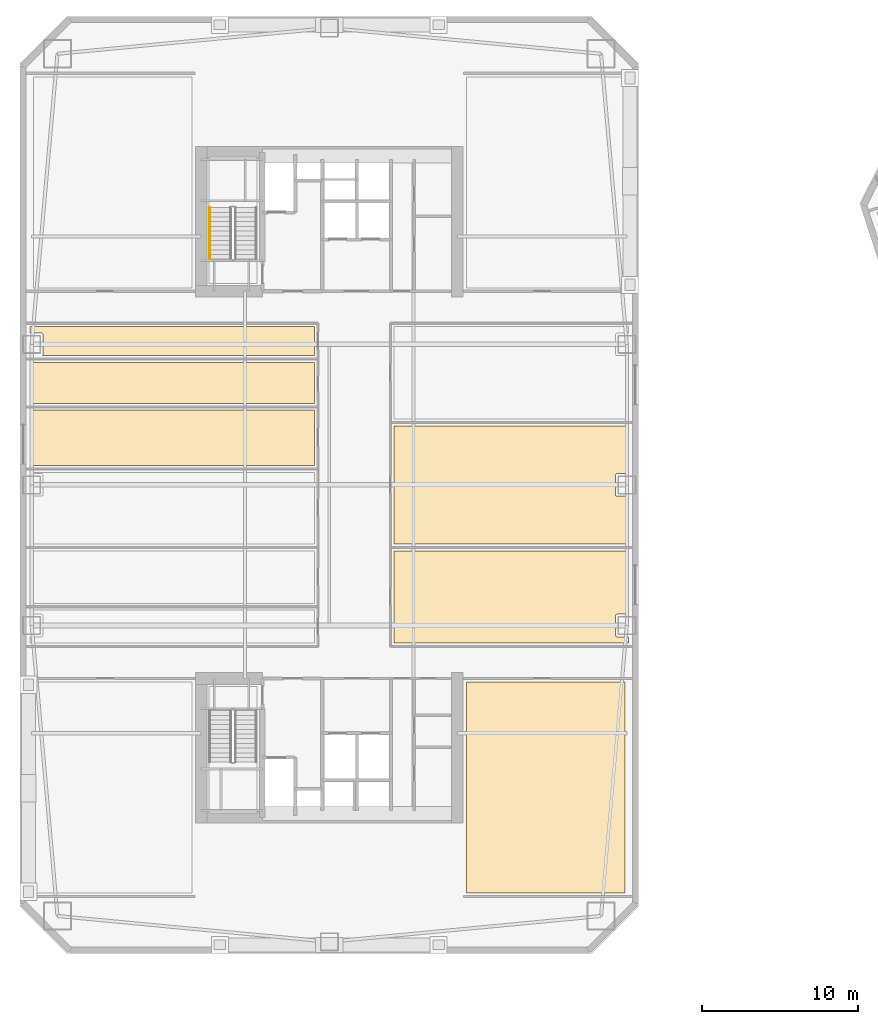
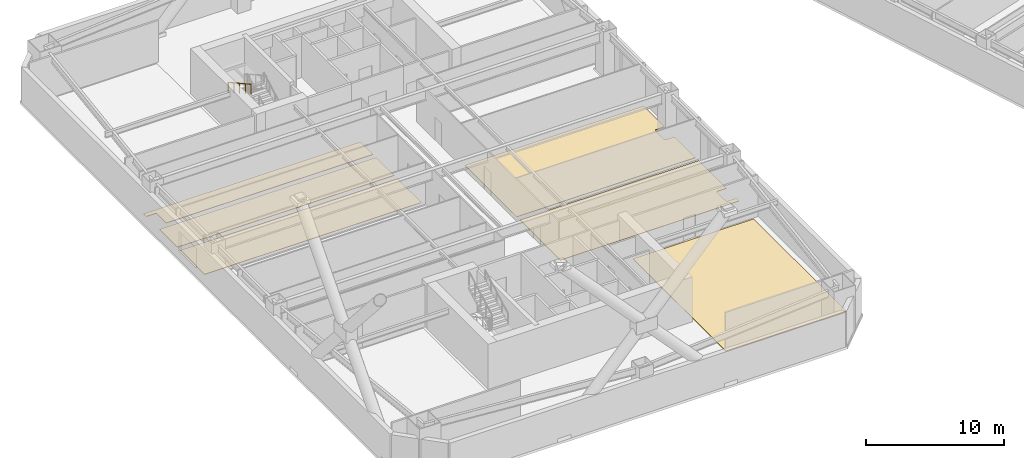
# One storey, part 11 of 18: 6 coverings, 1 railing.
"""IFC4 building model written with IfcOpenShell, lengths in metres."""

from ifc_helpers import new_model, si_unit, direction, frame, origin, origin_2d, place, context, subcontext, project, spatial, polyline, circle, outline, extrude, material, layer, layer_set, type_object, element, save


model = new_model("IFC4")

# Units and contexts
model_context = context("Model", 3, precision=1e-05, world=origin(), true_north=direction((0.0, 1.0)))
body_context = subcontext(model_context, "Body", "Model", "MODEL_VIEW")
ifc_project = project(units=[si_unit("LENGTHUNIT", "METRE"), si_unit("AREAUNIT", "SQUARE_METRE"), si_unit("VOLUMEUNIT", "CUBIC_METRE"), si_unit("PLANEANGLEUNIT", "RADIAN"), si_unit("MASSUNIT", "GRAM", prefix="KILO")], contexts=[model_context])

# Site, building, storey
site_placement = place(None, origin())
site = spatial("IfcSite", under=ifc_project, at=site_placement, CompositionType="ELEMENT")
building_placement = place(site_placement, origin())
building = spatial("IfcBuilding", under=site, at=building_placement, Name="Qiaolan Cultural Towers", CompositionType="ELEMENT")
storey_placement = place(building_placement, frame((0.0, 0.0, 42.0)))
storey = spatial("IfcBuildingStorey", under=building, at=storey_placement, Name="L09", CompositionType="ELEMENT", Elevation=42.0)

# Coverings
ifc_material_1 = material(Name="Honed Terrazzo & Raised Access Flooring", Category="concrete")
ifc_layer = layer(ifc_material_1, 0.0400390625)
ifc_layer_set = layer_set([ifc_layer], Name="Honed Terrazzo & Raised Access Flooring")
covering_type = type_object("IfcCoveringType", Name="COV-FLR-STONE", PredefinedType="FLOORING", material=ifc_layer_set)
covering_1_placement = place(storey_placement, origin())
element("IfcCovering", 1, at=covering_1_placement, inside=storey, type_object=covering_type, Name="L09 Corner Curatorial Research Office Finish Flooring", PredefinedType="FLOORING", context=body_context, shape_type="SweptSolid", body=[
    extrude(outline(polyline([(48.929931640625, 7.8701171875), (48.929931640625, 21.3798828125), (38.800048828125, 21.3798828125), (38.800048828125, 7.8701171875), (48.929931640625, 7.8701171875)])), origin(), (0.0, 0.0, 1.0), 0.0400390625),
])
covering_2_placement = place(storey_placement, origin())
element("IfcCovering", 2, at=covering_2_placement, inside=storey, type_object=covering_type, Name="L09 Wellness Consultation Room Finish Flooring", PredefinedType="FLOORING", context=body_context, shape_type="SweptSolid", body=[
    extrude(outline(polyline([(29.054931640625, 35.248046875), (29.054931640625, 38.780029296875), (10.840087890625, 38.780029296875), (10.840087890625, 35.248046875), (29.054931640625, 35.248046875)])), origin(), (0.0, 0.0, 1.0), 0.0400390625),
])
covering_3_placement = place(storey_placement, origin())
element("IfcCovering", 3, at=covering_3_placement, inside=storey, type_object=covering_type, Name="L09 Wellness Consultation Room Finish Flooring", PredefinedType="FLOORING", context=body_context, shape_type="SweptSolid", body=[
    extrude(outline(polyline([(29.054931640625, 39.219970703125), (29.054931640625, 41.845947265625), (10.840087890625, 41.845947265625), (10.840087890625, 39.219970703125), (29.054931640625, 39.219970703125)])), origin(), (0.0, 0.0, 1.0), 0.0400390625),
])
covering_4_placement = place(storey_placement, origin())
element("IfcCovering", 4, at=covering_4_placement, inside=storey, type_object=covering_type, Name="L09 Staff Lounge Finish Flooring", PredefinedType="FLOORING", context=body_context, shape_type="SweptSolid", body=[
    extrude(outline(polyline([(10.840087890625, 43.72509765625), (11.554931640625, 43.72509765625), (11.566650390625, 43.724365234375), (11.578369140625, 43.72265625), (11.58984375, 43.7197265625), (11.600830078125, 43.7158203125), (11.611572265625, 43.7109375), (11.62158203125, 43.704833984375), (11.631103515625, 43.69775390625), (11.639892578125, 43.68994140625), (11.647705078125, 43.68115234375), (11.65478515625, 43.671630859375), (11.660888671875, 43.66162109375), (11.665771484375, 43.65087890625), (11.669921875, 43.639892578125), (11.672607421875, 43.62841796875), (11.67431640625, 43.61669921875), (11.675048828125, 43.60498046875), (11.675048828125, 42.39501953125), (11.67431640625, 42.38330078125), (11.672607421875, 42.37158203125), (11.669921875, 42.360107421875), (11.665771484375, 42.34912109375), (11.660888671875, 42.33837890625), (11.65478515625, 42.328369140625), (11.647705078125, 42.31884765625), (11.639892578125, 42.31005859375), (11.631103515625, 42.30224609375), (11.62158203125, 42.295166015625), (11.611572265625, 42.2890625), (11.60498046875, 42.285888671875), (29.054931640625, 42.285888671875), (29.054931640625, 44.1298828125), (10.840087890625, 44.1298828125), (10.840087890625, 43.72509765625)])), origin(), (0.0, 0.0, 1.0), 0.0400390625),
])
covering_5_placement = place(storey_placement, origin())
element("IfcCovering", 5, at=covering_5_placement, inside=storey, type_object=covering_type, Name="L09 Cultural Bookstore Gallery Finish Flooring", PredefinedType="FLOORING", context=body_context, shape_type="SweptSolid", body=[
    extrude(outline(polyline([(49.159912109375, 24.27490234375), (48.445068359375, 24.27490234375), (48.433349609375, 24.275634765625), (48.421630859375, 24.27734375), (48.41015625, 24.2802734375), (48.399169921875, 24.2841796875), (48.388427734375, 24.2890625), (48.37841796875, 24.295166015625), (48.368896484375, 24.30224609375), (48.360107421875, 24.31005859375), (48.352294921875, 24.31884765625), (48.34521484375, 24.328369140625), (48.339111328125, 24.33837890625), (48.334228515625, 24.34912109375), (48.330078125, 24.360107421875), (48.327392578125, 24.37158203125), (48.32568359375, 24.38330078125), (48.324951171875, 24.39501953125), (48.324951171875, 25.60498046875), (48.32568359375, 25.61669921875), (48.327392578125, 25.62841796875), (48.330078125, 25.639892578125), (48.334228515625, 25.65087890625), (48.339111328125, 25.66162109375), (48.34521484375, 25.671630859375), (48.352294921875, 25.68115234375), (48.360107421875, 25.68994140625), (48.368896484375, 25.69775390625), (48.37841796875, 25.704833984375), (48.388427734375, 25.7109375), (48.399169921875, 25.7158203125), (48.41015625, 25.7197265625), (48.421630859375, 25.72265625), (48.433349609375, 25.724365234375), (48.445068359375, 25.72509765625), (49.159912109375, 25.72509765625), (49.159912109375, 29.780029296875), (34.14501953125, 29.780029296875), (34.14501953125, 23.8701171875), (49.159912109375, 23.8701171875), (49.159912109375, 24.27490234375)])), origin(), (0.0, 0.0, 1.0), 0.0400390625),
])
covering_6_placement = place(storey_placement, origin())
element("IfcCovering", 6, at=covering_6_placement, inside=storey, type_object=covering_type, Name="L09 Design Archive Studio Finish Flooring", PredefinedType="FLOORING", context=body_context, shape_type="SweptSolid", body=[
    extrude(outline(polyline([(49.159912109375, 33.27490234375), (48.445068359375, 33.27490234375), (48.433349609375, 33.275634765625), (48.421630859375, 33.27734375), (48.41015625, 33.2802734375), (48.399169921875, 33.2841796875), (48.388427734375, 33.2890625), (48.37841796875, 33.295166015625), (48.368896484375, 33.30224609375), (48.360107421875, 33.31005859375), (48.352294921875, 33.31884765625), (48.34521484375, 33.328369140625), (48.339111328125, 33.33837890625), (48.334228515625, 33.34912109375), (48.330078125, 33.360107421875), (48.327392578125, 33.37158203125), (48.32568359375, 33.38330078125), (48.324951171875, 33.39501953125), (48.324951171875, 34.60498046875), (48.32568359375, 34.61669921875), (48.327392578125, 34.62841796875), (48.330078125, 34.639892578125), (48.334228515625, 34.65087890625), (48.339111328125, 34.66162109375), (48.34521484375, 34.671630859375), (48.352294921875, 34.68115234375), (48.360107421875, 34.68994140625), (48.368896484375, 34.69775390625), (48.37841796875, 34.704833984375), (48.388427734375, 34.7109375), (48.399169921875, 34.7158203125), (48.41015625, 34.7197265625), (48.421630859375, 34.72265625), (48.433349609375, 34.724365234375), (48.445068359375, 34.72509765625), (49.159912109375, 34.72509765625), (49.159912109375, 37.780029296875), (34.14501953125, 37.780029296875), (34.14501953125, 30.219970703125), (49.159912109375, 30.219970703125), (49.159912109375, 33.27490234375)])), origin(), (0.0, 0.0, 1.0), 0.0400390625),
])

# Railing
ifc_material_2 = material(Name="Stainless Steel S30408 Tubular Handrail", Category="steel")
railing_type = type_object("IfcRailingType", Name="RL-STAIR-HR", PredefinedType="HANDRAIL", material=ifc_material_2)
railing_placement = place(storey_placement, frame((22.35009765625, 51.75, 2.166748046875)))
element("IfcRailing", 7, at=railing_placement, inside=storey, type_object=railing_type, Name="L09 ST-W2 stair handrail 2", PredefinedType="HANDRAIL", context=body_context, shape_type="SweptSolid", body=[
    extrude(circle(Radius=0.02392578125, at=origin_2d()), frame((0.0, 0.0, 0.8759765625), z_axis=(0.0, -0.874169478083, 0.485620966999), x_axis=(1.0, 0.0, 0.0)), (0.0, 0.0, 1.0), 3.775146484375),
    extrude(circle(Radius=0.02099609375, at=origin_2d()), origin(), (0.0, 0.0, 1.0), 0.851806640625),
    extrude(circle(Radius=0.02099609375, at=origin_2d()), frame((0.0, -0.824951171875, 0.458251953125)), (0.0, 0.0, 1.0), 0.851806640625),
    extrude(circle(Radius=0.02099609375, at=origin_2d()), frame((0.0, -1.64990234375, 0.91650390625)), (0.0, 0.0, 1.0), 0.851806640625),
    extrude(circle(Radius=0.02099609375, at=origin_2d()), frame((0.0, -2.47509765625, 1.375)), (0.0, 0.0, 1.0), 0.851806640625),
    extrude(circle(Radius=0.02099609375, at=origin_2d()), frame((0.0, -3.300048828125, 1.833251953125)), (0.0, 0.0, 1.0), 0.851806640625),
])

save(model, "model.ifc")
